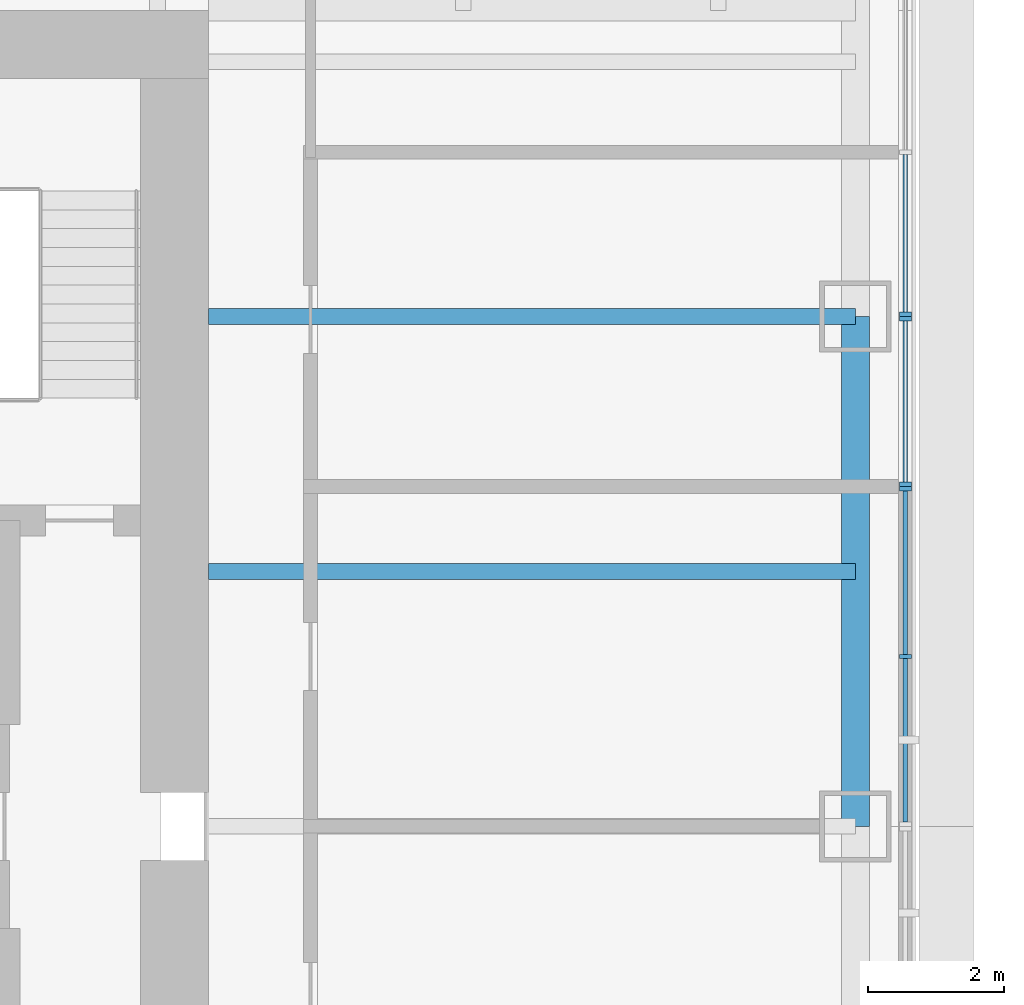
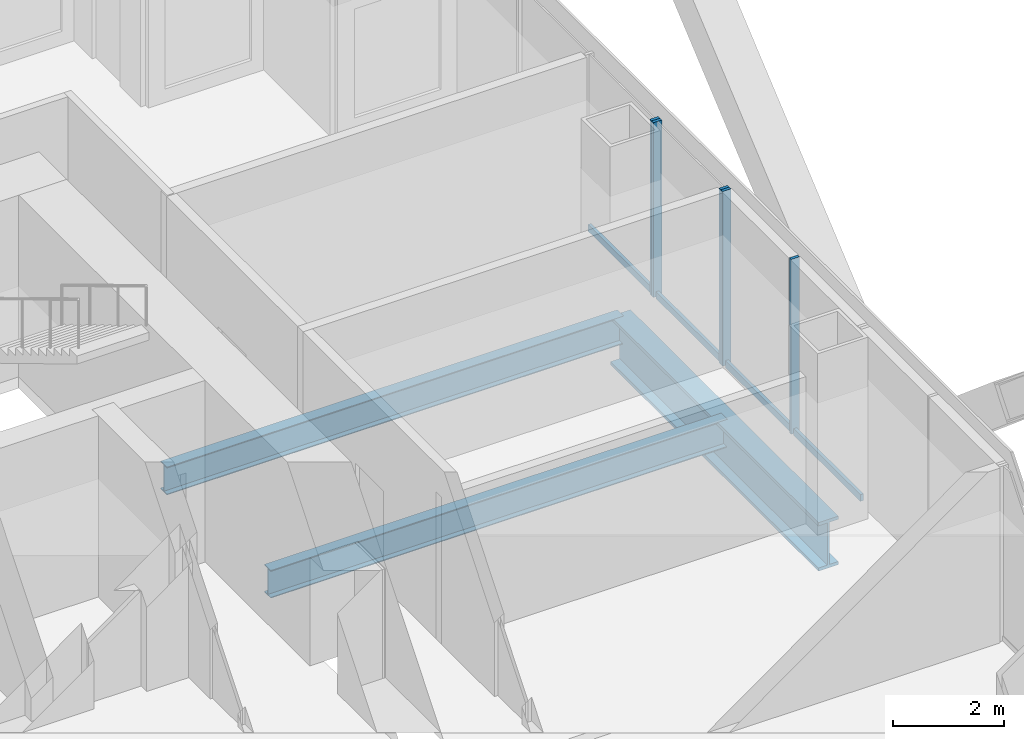
# One storey, part 6 of 17: 9 members, 3 beams, 3 elements without a shape of their own.
"""IFC4 building model written with IfcOpenShell, lengths in metres."""

from ifc_helpers import new_model, si_unit, direction, frame, origin, origin_2d, place, context, subcontext, project, spatial, rectangle, i_section, extrude, material, material_profile, profile_set, type_object, element, aggregate, save


model = new_model("IFC4")

# Units and contexts
model_context = context("Model", 3, precision=1e-05, world=origin(), true_north=direction((0.0, 1.0)))
body_context = subcontext(model_context, "Body", "Model", "MODEL_VIEW")
ifc_project = project(units=[si_unit("LENGTHUNIT", "METRE"), si_unit("AREAUNIT", "SQUARE_METRE"), si_unit("VOLUMEUNIT", "CUBIC_METRE"), si_unit("PLANEANGLEUNIT", "RADIAN"), si_unit("MASSUNIT", "GRAM", prefix="KILO")], contexts=[model_context])

# Site, building, storey
site_placement = place(None, origin())
site = spatial("IfcSite", under=ifc_project, at=site_placement, CompositionType="ELEMENT")
building_placement = place(site_placement, origin())
building = spatial("IfcBuilding", under=site, at=building_placement, Name="Tarangal Relay Tower", CompositionType="ELEMENT")
storey_placement = place(building_placement, frame((0.0, 0.0, 233.89990234375)))
storey = spatial("IfcBuildingStorey", under=building, at=storey_placement, Name="L50", CompositionType="ELEMENT", Elevation=233.89990234375)

# Beams
ifc_material_1 = material(Name="Steel ASTM A992", Category="steel")
ifc_material_profile_1 = material_profile(ifc_material_1, i_section(OverallWidth=0.41650390625, OverallDepth=1.0693359375, WebThickness=0.0390625, FlangeThickness=0.070068359375, at=origin_2d()), Name="W40X503")
ifc_profile_set_1 = profile_set([ifc_material_profile_1], Name="Steel ASTM A992")
beam_type_1 = type_object("IfcBeamType", Name="Edge girder W40X503", PredefinedType="SPANDREL", material=ifc_profile_set_1)
beam_placement = place(storey_placement, frame((21.514892578125, 7.5, -0.6845703125), z_axis=(0.0, -1.0, 0.0), x_axis=(1.0, 0.0, 0.0)))
element("IfcBeam", 1, at=beam_placement, inside=storey, type_object=beam_type_1, Name="Edge girder EG8 E L50", PredefinedType="SPANDREL", context=body_context, shape_type="SweptSolid", body=[
    extrude(i_section(OverallWidth=0.41650390625, OverallDepth=1.0693359375, WebThickness=0.0390625, FlangeThickness=0.070068359375, at=origin_2d()), origin(), (0.0, 0.0, 1.0), 7.5),
])
ifc_material_profile_2 = material_profile(ifc_material_1, i_section(OverallWidth=0.22900390625, OverallDepth=0.612060546875, WebThickness=0.011962890625, FlangeThickness=0.01953125, at=origin_2d()), Name="W24X84")
ifc_profile_set_2 = profile_set([ifc_material_profile_2], Name="Steel ASTM A992")
beam_type_2 = type_object("IfcBeamType", Name="Floor beam W24X84", PredefinedType="BEAM", material=ifc_profile_set_2)
for number, where, z_axis, x_axis, name in (
    (2, (12.0, 7.5, -0.455810546875), (1.0, 0.0, 0.0), (0.0, 1.0, 0.0), "Floor beam RB12 E L50"),
    (3, (12.0, 3.75, -0.455810546875), (1.0, 0.0, 0.0), (0.0, 1.0, 0.0), "Floor beam RB12 E L50"),
):
    element("IfcBeam", number, at=place(storey_placement, frame(where, z_axis=z_axis, x_axis=x_axis)), inside=storey, type_object=beam_type_2, Name=name, PredefinedType="BEAM", context=body_context, shape_type="SweptSolid", body=[
        extrude(i_section(OverallWidth=0.22900390625, OverallDepth=0.612060546875, WebThickness=0.011962890625, FlangeThickness=0.01953125, at=origin_2d()), origin(), (0.0, 0.0, 1.0), 9.514892578125),
    ])

# Curtain wall, member
ifc_material_2 = material(Name="Unitised curtain wall, dark glass and black aluminium", Category="aluminium")
curtain_wall_type_1 = type_object("IfcCurtainWallType", Name="Curtain wall CW-A", PredefinedType="USERDEFINED", material=ifc_material_2)
curtain_wall_1_placement = place(storey_placement, origin())
curtain_wall_1 = element("IfcCurtainWall", 4, at=curtain_wall_1_placement, inside=storey, type_object=curtain_wall_type_1, Name="Curtain wall CW-A E facade L50", ObjectType="UNITISED CURTAIN WALL", PredefinedType="USERDEFINED")
ifc_material_3 = material(Name="Black anodised aluminium mullion", Category="aluminium")
ifc_material_profile_3 = material_profile(ifc_material_3, rectangle(XDim=0.175048828125, YDim=0.06494140625, at=origin_2d()), Name="CW-AM 65X175")
ifc_profile_set_3 = profile_set([ifc_material_profile_3], Name="Black anodised aluminium mullion")
member_type_1 = type_object("IfcMemberType", Name="Mullion CW-A 65 x 175", PredefinedType="MULLION", material=ifc_profile_set_3)
member_1_placement = place(storey_placement, frame((22.25, 7.532470703125, 0.0), z_axis=(0.0, 0.0, 1.0), x_axis=(1.0, 0.0, 0.0)))
member_1 = element("IfcMember", 5, at=member_1_placement, type_object=member_type_1, Name="CW-A mullion 4", PredefinedType="MULLION", context=body_context, shape_type="SweptSolid", body=[
    extrude(rectangle(XDim=0.175048828125, YDim=0.06494140625, at=origin_2d()), origin(), (0.0, 0.0, 1.0), 3.85009765625),
])

# Curtain wall, members
curtain_wall_2_placement = place(storey_placement, origin())
curtain_wall_2 = element("IfcCurtainWall", 6, at=curtain_wall_2_placement, inside=storey, type_object=curtain_wall_type_1, Name="Curtain wall CW-A E facade L50", ObjectType="UNITISED CURTAIN WALL", PredefinedType="USERDEFINED")
member_2_placement = place(storey_placement, frame((22.25, 7.467529296875, 0.0), z_axis=(0.0, 0.0, 1.0), x_axis=(1.0, 0.0, 0.0)))
member_2 = element("IfcMember", 7, at=member_2_placement, type_object=member_type_1, Name="CW-A mullion 1", PredefinedType="MULLION", context=body_context, shape_type="SweptSolid", body=[
    extrude(rectangle(XDim=0.175048828125, YDim=0.06494140625, at=origin_2d()), origin(), (0.0, 0.0, 1.0), 3.85009765625),
])
member_3_placement = place(storey_placement, frame((22.25, 5.032470703125, 0.0), z_axis=(0.0, 0.0, 1.0), x_axis=(1.0, 0.0, 0.0)))
member_3 = element("IfcMember", 8, at=member_3_placement, type_object=member_type_1, Name="CW-A mullion 2", PredefinedType="MULLION", context=body_context, shape_type="SweptSolid", body=[
    extrude(rectangle(XDim=0.175048828125, YDim=0.06494140625, at=origin_2d()), origin(), (0.0, 0.0, 1.0), 3.85009765625),
])

ifc_material_4 = material(Name="Unitised curtain wall frame, black aluminium, with metal clad infill walls", Category="aluminium")
curtain_wall_type_2 = type_object("IfcCurtainWallType", Name="Curtain wall CW-AO", PredefinedType="USERDEFINED", material=ifc_material_4)
curtain_wall_3_placement = place(storey_placement, origin())
curtain_wall_3 = element("IfcCurtainWall", 9, at=curtain_wall_3_placement, inside=storey, type_object=curtain_wall_type_2, Name="Curtain wall CW-AO E facade L50", ObjectType="UNITISED CURTAIN WALL", PredefinedType="USERDEFINED")
ifc_material_profile_4 = material_profile(ifc_material_3, rectangle(XDim=0.175048828125, YDim=0.06494140625, at=origin_2d()), Name="CW-AOM 65X175")
ifc_profile_set_4 = profile_set([ifc_material_profile_4], Name="Black anodised aluminium mullion")
member_type_2 = type_object("IfcMemberType", Name="Mullion CW-AO 65 x 175", PredefinedType="MULLION", material=ifc_profile_set_4)
member_4_placement = place(storey_placement, frame((22.25, 4.967529296875, 0.0), z_axis=(0.0, 0.0, 1.0), x_axis=(1.0, 0.0, 0.0)))
member_4 = element("IfcMember", 10, at=member_4_placement, type_object=member_type_2, Name="CW-AO mullion 1", PredefinedType="MULLION", context=body_context, shape_type="SweptSolid", body=[
    extrude(rectangle(XDim=0.175048828125, YDim=0.06494140625, at=origin_2d()), origin(), (0.0, 0.0, 1.0), 3.85009765625),
])
member_5_placement = place(storey_placement, frame((22.25, 2.5, 0.0), z_axis=(0.0, 0.0, 1.0), x_axis=(1.0, 0.0, 0.0)))
member_5 = element("IfcMember", 11, at=member_5_placement, type_object=member_type_2, Name="CW-AO mullion 2", PredefinedType="MULLION", context=body_context, shape_type="SweptSolid", body=[
    extrude(rectangle(XDim=0.175048828125, YDim=0.06494140625, at=origin_2d()), origin(), (0.0, 0.0, 1.0), 3.85009765625),
])

# Member
ifc_material_5 = material(Name="Black anodised aluminium transom", Category="aluminium")
ifc_material_profile_5 = material_profile(ifc_material_5, rectangle(XDim=0.06494140625, YDim=0.14990234375, at=origin_2d()), Name="CW-AT 65X150")
ifc_profile_set_5 = profile_set([ifc_material_profile_5], Name="Black anodised aluminium transom")
member_type_3 = type_object("IfcMemberType", Name="Transom CW-A 65 x 150", PredefinedType="USERDEFINED", material=ifc_profile_set_5)
member_6_placement = place(storey_placement, frame((22.25, 9.88427734375, 0.03271484375), z_axis=(0.0, -1.0, 0.0), x_axis=(1.0, 0.0, 0.0)))
member_6 = element("IfcMember", 12, at=member_6_placement, type_object=member_type_3, Name="CW-A transom 3.1", ObjectType="TRANSOM", PredefinedType="USERDEFINED", context=body_context, shape_type="SweptSolid", body=[
    extrude(rectangle(XDim=0.06494140625, YDim=0.14990234375, at=origin_2d()), origin(), (0.0, 0.0, 1.0), 2.3193359375),
])

aggregate(curtain_wall_1, [member_1, member_6])

member_7_placement = place(storey_placement, frame((22.25, 7.43505859375, 0.03271484375), z_axis=(0.0, -1.0, 0.0), x_axis=(1.0, 0.0, 0.0)))
member_7 = element("IfcMember", 13, at=member_7_placement, type_object=member_type_3, Name="CW-A transom 1.1", ObjectType="TRANSOM", PredefinedType="USERDEFINED", context=body_context, shape_type="SweptSolid", body=[
    extrude(rectangle(XDim=0.06494140625, YDim=0.14990234375, at=origin_2d()), origin(), (0.0, 0.0, 1.0), 2.3701171875),
])

aggregate(curtain_wall_2, [member_2, member_3, member_7])

ifc_material_profile_6 = material_profile(ifc_material_5, rectangle(XDim=0.06494140625, YDim=0.14990234375, at=origin_2d()), Name="CW-AOT 65X150")
ifc_profile_set_6 = profile_set([ifc_material_profile_6], Name="Black anodised aluminium transom")
member_type_4 = type_object("IfcMemberType", Name="Transom CW-AO 65 x 150", PredefinedType="USERDEFINED", material=ifc_profile_set_6)
member_8_placement = place(storey_placement, frame((22.25, 4.93505859375, 0.03271484375), z_axis=(0.0, -1.0, 0.0), x_axis=(1.0, 0.0, 0.0)))
member_8 = element("IfcMember", 14, at=member_8_placement, type_object=member_type_4, Name="CW-AO transom 1.1", ObjectType="TRANSOM", PredefinedType="USERDEFINED", context=body_context, shape_type="SweptSolid", body=[
    extrude(rectangle(XDim=0.06494140625, YDim=0.14990234375, at=origin_2d()), origin(), (0.0, 0.0, 1.0), 2.402587890625),
])

member_9_placement = place(storey_placement, frame((22.25, 2.467529296875, 0.03271484375), z_axis=(0.0, -1.0, 0.0), x_axis=(1.0, 0.0, 0.0)))
member_9 = element("IfcMember", 15, at=member_9_placement, type_object=member_type_4, Name="CW-AO transom 2.1", ObjectType="TRANSOM", PredefinedType="USERDEFINED", context=body_context, shape_type="SweptSolid", body=[
    extrude(rectangle(XDim=0.06494140625, YDim=0.14990234375, at=origin_2d()), origin(), (0.0, 0.0, 1.0), 2.402587890625),
])

aggregate(curtain_wall_3, [member_4, member_5, member_8, member_9])

save(model, "model.ifc")
